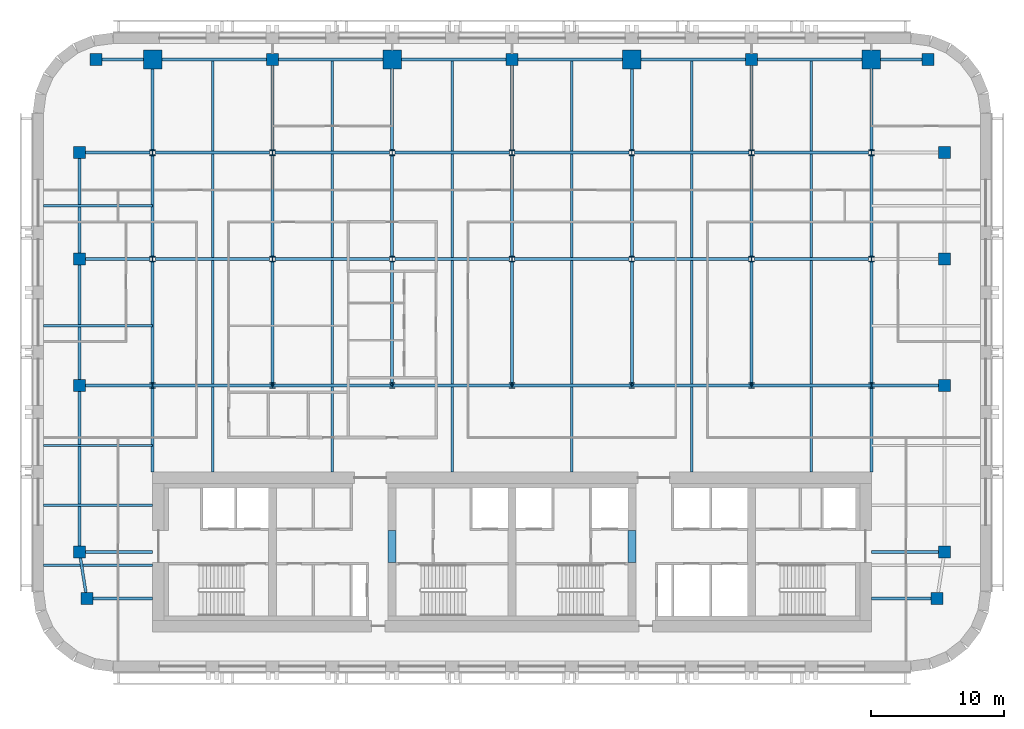
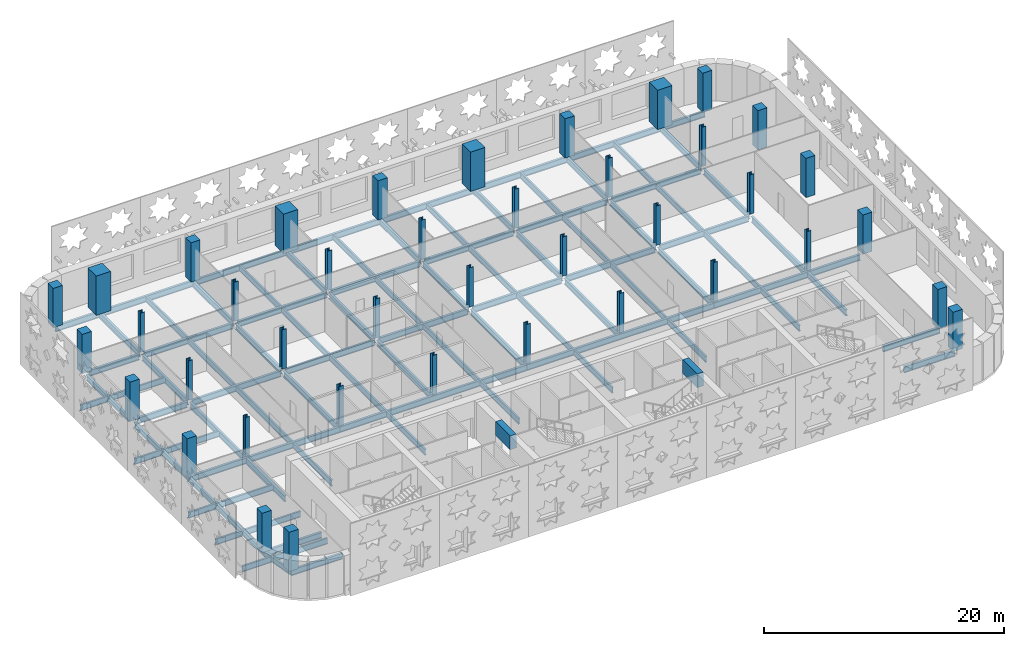
# One storey, part 1 of 13: 64 beams, 40 columns.
"""IFC4 building model written with IfcOpenShell, lengths in metres."""

from ifc_helpers import new_model, si_unit, direction, frame, origin, origin_2d, place, context, subcontext, project, spatial, rectangle, i_section, extrude, material, material_profile, profile_set, type_object, element, save


model = new_model("IFC4")

# Units and contexts
model_context = context("Model", 3, precision=1e-05, world=origin(), true_north=direction((0.0, 1.0)))
body_context = subcontext(model_context, "Body", "Model", "MODEL_VIEW")
ifc_project = project(units=[si_unit("LENGTHUNIT", "METRE"), si_unit("AREAUNIT", "SQUARE_METRE"), si_unit("VOLUMEUNIT", "CUBIC_METRE"), si_unit("PLANEANGLEUNIT", "RADIAN"), si_unit("MASSUNIT", "GRAM", prefix="KILO")], contexts=[model_context])

# Site, building, storey
site_placement = place(None, origin())
site = spatial("IfcSite", under=ifc_project, at=site_placement, CompositionType="ELEMENT")
building_placement = place(site_placement, origin())
building = spatial("IfcBuilding", under=site, at=building_placement, Name="Zellij Exchange Tower", CompositionType="ELEMENT")
storey_placement = place(building_placement, frame((0.0, 0.0, 172.5)))
storey = spatial("IfcBuildingStorey", under=building, at=storey_placement, Name="L39", CompositionType="ELEMENT", Elevation=172.5)

# Columns
ifc_material_1 = material(Name="Concrete C60/75", Category="concrete")
ifc_material_profile_1 = material_profile(ifc_material_1, rectangle(XDim=0.89990234375, YDim=0.89990234375, at=origin_2d()), Name="STR-COLUMN RC900x900 C60/75")
ifc_profile_set_1 = profile_set([ifc_material_profile_1], Name="Concrete C60/75")
column_type_1 = type_object("IfcColumnType", Name="STR-COLUMN RC900x900 C60/75", PredefinedType="COLUMN", material=ifc_profile_set_1)
for number, where, z_axis, x_axis, name in (
    (1, (-31.949951171875, -11.5, 0.0), (0.0, 0.0, 1.0), (1.0, 0.0, 0.0), "C16"),
    (2, (31.949951171875, -11.5, 0.0), (0.0, 0.0, 1.0), (1.0, 0.0, 0.0), "C16"),
    (3, (-32.5, -8.0, 0.0), (0.0, 0.0, 1.0), (1.0, 0.0, 0.0), "C16"),
    (4, (32.5, -8.0, 0.0), (0.0, 0.0, 1.0), (1.0, 0.0, 0.0), "C16"),
    (5, (-32.5, 4.5, 0.0), (0.0, 0.0, 1.0), (1.0, 0.0, 0.0), "C16"),
    (6, (32.5, 4.5, 0.0), (0.0, 0.0, 1.0), (1.0, 0.0, 0.0), "C16"),
    (7, (-32.5, 14.0, 0.0), (0.0, 0.0, 1.0), (1.0, 0.0, 0.0), "C16"),
    (8, (32.5, 14.0, 0.0), (0.0, 0.0, 1.0), (1.0, 0.0, 0.0), "C16"),
    (9, (-32.5, 22.0, 0.0), (0.0, 0.0, 1.0), (1.0, 0.0, 0.0), "C16"),
    (10, (32.5, 22.0, 0.0), (0.0, 0.0, 1.0), (1.0, 0.0, 0.0), "C16"),
    (11, (-31.25, 29.0, 0.0), (0.0, 0.0, 1.0), (1.0, 0.0, 0.0), "C16"),
    (12, (-18.0, 29.0, 0.0), (0.0, 0.0, 1.0), (1.0, 0.0, 0.0), "C16"),
    (13, (0.0, 29.0, 0.0), (0.0, 0.0, 1.0), (1.0, 0.0, 0.0), "C16"),
    (14, (18.0, 29.0, 0.0), (0.0, 0.0, 1.0), (1.0, 0.0, 0.0), "C16"),
    (15, (31.25, 29.0, 0.0), (0.0, 0.0, 1.0), (1.0, 0.0, 0.0), "C16"),
):
    element("IfcColumn", number, at=place(storey_placement, frame(where, z_axis=z_axis, x_axis=x_axis)), inside=storey, type_object=column_type_1, Name=name, PredefinedType="COLUMN", context=body_context, shape_type="SweptSolid", body=[
        extrude(rectangle(XDim=0.89990234375, YDim=0.89990234375, at=origin_2d()), origin(), (0.0, 0.0, 1.0), 4.0),
    ])
ifc_material_2 = material(Name="Structural steel ASTM A913 Gr 65", Category="steel")
ifc_material_profile_2 = material_profile(ifc_material_2, i_section(OverallWidth=0.408935546875, OverallDepth=0.424072265625, WebThickness=0.03271484375, FlangeThickness=0.052490234375, at=origin_2d()), Name="W14x283")
ifc_profile_set_2 = profile_set([ifc_material_profile_2], Name="Structural steel ASTM A913 Gr 65")
column_type_2 = type_object("IfcColumnType", Name="STR-COLUMN W14x283", PredefinedType="COLUMN", material=ifc_profile_set_2)
for number, where, z_axis, x_axis, name in (
    (16, (-27.0, 4.5, 0.0), (0.0, 0.0, 1.0), (1.0, 0.0, 0.0), "C3"),
    (17, (-18.0, 4.5, 0.0), (0.0, 0.0, 1.0), (1.0, 0.0, 0.0), "C3"),
    (18, (-9.0, 4.5, 0.0), (0.0, 0.0, 1.0), (1.0, 0.0, 0.0), "C3"),
    (19, (0.0, 4.5, 0.0), (0.0, 0.0, 1.0), (1.0, 0.0, 0.0), "C3"),
    (20, (9.0, 4.5, 0.0), (0.0, 0.0, 1.0), (1.0, 0.0, 0.0), "C3"),
    (21, (18.0, 4.5, 0.0), (0.0, 0.0, 1.0), (1.0, 0.0, 0.0), "C3"),
    (22, (27.0, 4.5, 0.0), (0.0, 0.0, 1.0), (1.0, 0.0, 0.0), "C3"),
    (23, (-27.0, 14.0, 0.0), (0.0, 0.0, 1.0), (1.0, 0.0, 0.0), "C3"),
    (24, (-18.0, 14.0, 0.0), (0.0, 0.0, 1.0), (1.0, 0.0, 0.0), "C3"),
    (25, (-9.0, 14.0, 0.0), (0.0, 0.0, 1.0), (1.0, 0.0, 0.0), "C3"),
    (26, (0.0, 14.0, 0.0), (0.0, 0.0, 1.0), (1.0, 0.0, 0.0), "C3"),
    (27, (9.0, 14.0, 0.0), (0.0, 0.0, 1.0), (1.0, 0.0, 0.0), "C3"),
    (28, (18.0, 14.0, 0.0), (0.0, 0.0, 1.0), (1.0, 0.0, 0.0), "C3"),
    (29, (27.0, 14.0, 0.0), (0.0, 0.0, 1.0), (1.0, 0.0, 0.0), "C3"),
    (30, (-27.0, 22.0, 0.0), (0.0, 0.0, 1.0), (1.0, 0.0, 0.0), "C3"),
    (31, (-18.0, 22.0, 0.0), (0.0, 0.0, 1.0), (1.0, 0.0, 0.0), "C3"),
    (32, (-9.0, 22.0, 0.0), (0.0, 0.0, 1.0), (1.0, 0.0, 0.0), "C3"),
    (33, (0.0, 22.0, 0.0), (0.0, 0.0, 1.0), (1.0, 0.0, 0.0), "C3"),
    (34, (9.0, 22.0, 0.0), (0.0, 0.0, 1.0), (1.0, 0.0, 0.0), "C3"),
    (35, (18.0, 22.0, 0.0), (0.0, 0.0, 1.0), (1.0, 0.0, 0.0), "C3"),
    (36, (27.0, 22.0, 0.0), (0.0, 0.0, 1.0), (1.0, 0.0, 0.0), "C3"),
):
    element("IfcColumn", number, at=place(storey_placement, frame(where, z_axis=z_axis, x_axis=x_axis)), inside=storey, type_object=column_type_2, Name=name, PredefinedType="COLUMN", context=body_context, shape_type="SweptSolid", body=[
        extrude(i_section(OverallWidth=0.408935546875, OverallDepth=0.424072265625, WebThickness=0.03271484375, FlangeThickness=0.052490234375, at=origin_2d()), origin(), (0.0, 0.0, 1.0), 4.0),
    ])
ifc_material_profile_3 = material_profile(ifc_material_1, rectangle(XDim=1.39990234375, YDim=1.39990234375, at=origin_2d()), Name="STR-MEGA COLUMN RC1400x1400 C60/75")
ifc_profile_set_3 = profile_set([ifc_material_profile_3], Name="Concrete C60/75")
column_type_3 = type_object("IfcColumnType", Name="STR-MEGA COLUMN RC1400x1400 C60/75", PredefinedType="COLUMN", material=ifc_profile_set_3)
for number, where, z_axis, x_axis, name in (
    (37, (-27.0, 29.0, 0.0), (0.0, 0.0, 1.0), (1.0, 0.0, 0.0), "MC3"),
    (38, (-9.0, 29.0, 0.0), (0.0, 0.0, 1.0), (1.0, 0.0, 0.0), "MC3"),
    (39, (9.0, 29.0, 0.0), (0.0, 0.0, 1.0), (1.0, 0.0, 0.0), "MC3"),
    (40, (27.0, 29.0, 0.0), (0.0, 0.0, 1.0), (1.0, 0.0, 0.0), "MC3"),
):
    element("IfcColumn", number, at=place(storey_placement, frame(where, z_axis=z_axis, x_axis=x_axis)), inside=storey, type_object=column_type_3, Name=name, PredefinedType="COLUMN", context=body_context, shape_type="SweptSolid", body=[
        extrude(rectangle(XDim=1.39990234375, YDim=1.39990234375, at=origin_2d()), origin(), (0.0, 0.0, 1.0), 4.0),
    ])

# Beams
ifc_material_profile_4 = material_profile(ifc_material_1, rectangle(XDim=0.60009765625, YDim=1.39990234375, at=origin_2d()), Name="CORE-CB 600x1400 C60/75")
ifc_profile_set_4 = profile_set([ifc_material_profile_4], Name="Concrete C60/75")
beam_type_1 = type_object("IfcBeamType", Name="CORE-CB 600x1400 C60/75", PredefinedType="BEAM", material=ifc_profile_set_4)
for number, where, z_axis, x_axis, name in (
    (41, (-9.0, -8.800048828125, 3.10009765625), (0.0, 1.0, 0.0), (-1.0, 0.0, 0.0), "Core coupling beam x -9 L39"),
    (42, (9.0, -8.800048828125, 3.10009765625), (0.0, 1.0, 0.0), (-1.0, 0.0, 0.0), "Core coupling beam x 9 L39"),
):
    element("IfcBeam", number, at=place(storey_placement, frame(where, z_axis=z_axis, x_axis=x_axis)), inside=storey, type_object=beam_type_1, Name=name, PredefinedType="BEAM", context=body_context, shape_type="SweptSolid", body=[
        extrude(rectangle(XDim=0.60009765625, YDim=1.39990234375, at=origin_2d()), origin(), (0.0, 0.0, 1.0), 2.425048828125),
    ])
ifc_material_3 = material(Name="Structural steel ASTM A992 Gr 50", Category="steel")
ifc_material_profile_5 = material_profile(ifc_material_3, i_section(OverallWidth=0.177978515625, OverallDepth=0.599365234375, WebThickness=0.010009765625, FlangeThickness=0.012939453125, at=origin_2d()), Name="W24x55")
ifc_profile_set_5 = profile_set([ifc_material_profile_5], Name="Structural steel ASTM A992 Gr 50")
beam_type_2 = type_object("IfcBeamType", Name="STR-BEAM W24x55", PredefinedType="BEAM", material=ifc_profile_set_5)
for number, where, z_axis, x_axis, name in (
    (43, (-22.5, -2.0, -0.499755859375), (0.0, 1.0, 0.0), (-1.0, 0.0, 0.0), "B4"),
    (44, (-13.5, -2.0, -0.499755859375), (0.0, 1.0, 0.0), (-1.0, 0.0, 0.0), "B4"),
    (45, (-4.5, -2.0, -0.499755859375), (0.0, 1.0, 0.0), (-1.0, 0.0, 0.0), "B4"),
    (46, (4.5, -2.0, -0.499755859375), (0.0, 1.0, 0.0), (-1.0, 0.0, 0.0), "B4"),
    (47, (13.5, -2.0, -0.499755859375), (0.0, 1.0, 0.0), (-1.0, 0.0, 0.0), "B4"),
    (48, (22.5, -2.0, -0.499755859375), (0.0, 1.0, 0.0), (-1.0, 0.0, 0.0), "B4"),
):
    element("IfcBeam", number, at=place(storey_placement, frame(where, z_axis=z_axis, x_axis=x_axis)), inside=storey, type_object=beam_type_2, Name=name, PredefinedType="BEAM", context=body_context, shape_type="SweptSolid", body=[
        extrude(i_section(OverallWidth=0.177978515625, OverallDepth=0.599365234375, WebThickness=0.010009765625, FlangeThickness=0.012939453125, at=origin_2d()), origin(), (0.0, 0.0, 1.0), 31.1142578125),
    ])
for number, where, z_axis, x_axis, name in (
    (49, (-35.199951171875, -9.0, -0.499755859375), (1.0, 0.0, 0.0), (0.0, 1.0, 0.0), "B4"),
    (50, (-35.199951171875, -4.5, -0.499755859375), (1.0, 0.0, 0.0), (0.0, 1.0, 0.0), "B4"),
    (51, (-35.199951171875, 0.0, -0.499755859375), (1.0, 0.0, 0.0), (0.0, 1.0, 0.0), "B4"),
    (52, (-35.199951171875, 9.0, -0.499755859375), (1.0, 0.0, 0.0), (0.0, 1.0, 0.0), "B4"),
    (53, (-35.199951171875, 18.0, -0.499755859375), (1.0, 0.0, 0.0), (0.0, 1.0, 0.0), "B4"),
):
    element("IfcBeam", number, at=place(storey_placement, frame(where, z_axis=z_axis, x_axis=x_axis)), inside=storey, type_object=beam_type_2, Name=name, PredefinedType="BEAM", context=body_context, shape_type="SweptSolid", body=[
        extrude(i_section(OverallWidth=0.177978515625, OverallDepth=0.599365234375, WebThickness=0.010009765625, FlangeThickness=0.012939453125, at=origin_2d()), origin(), (0.0, 0.0, 1.0), 8.199951171875),
    ])
ifc_material_profile_6 = material_profile(ifc_material_3, i_section(OverallWidth=0.209228515625, OverallDepth=0.533447265625, WebThickness=0.01025390625, FlangeThickness=0.015625, at=origin_2d()), Name="W21x62")
ifc_profile_set_6 = profile_set([ifc_material_profile_6], Name="Structural steel ASTM A992 Gr 50")
beam_type_3 = type_object("IfcBeamType", Name="STR-EDGE GIRDER W21x62", PredefinedType="BEAM", material=ifc_profile_set_6)
beam_1_placement = place(storey_placement, frame((-31.949951171875, -11.5, -0.466796875), z_axis=(-0.155251283593, 0.987875011802, 0.0), x_axis=(-0.987875011802, -0.155251283593, 0.0)))
element("IfcBeam", 54, at=beam_1_placement, inside=storey, type_object=beam_type_3, Name="EB3", PredefinedType="BEAM", context=body_context, shape_type="SweptSolid", body=[
    extrude(i_section(OverallWidth=0.209228515625, OverallDepth=0.533447265625, WebThickness=0.01025390625, FlangeThickness=0.015625, at=origin_2d()), origin(), (0.0, 0.0, 1.0), 3.54296875),
])
beam_2_placement = place(storey_placement, frame((-32.5, -8.0, -0.466796875), z_axis=(0.0, 1.0, 0.0), x_axis=(-1.0, 0.0, 0.0)))
element("IfcBeam", 55, at=beam_2_placement, inside=storey, type_object=beam_type_3, Name="EB3", PredefinedType="BEAM", context=body_context, shape_type="SweptSolid", body=[
    extrude(i_section(OverallWidth=0.209228515625, OverallDepth=0.533447265625, WebThickness=0.01025390625, FlangeThickness=0.015625, at=origin_2d()), origin(), (0.0, 0.0, 1.0), 12.5),
])
beam_3_placement = place(storey_placement, frame((-32.5, 4.5, -0.466796875), z_axis=(0.0, 1.0, 0.0), x_axis=(-1.0, 0.0, 0.0)))
element("IfcBeam", 56, at=beam_3_placement, inside=storey, type_object=beam_type_3, Name="EB3", PredefinedType="BEAM", context=body_context, shape_type="SweptSolid", body=[
    extrude(i_section(OverallWidth=0.209228515625, OverallDepth=0.533447265625, WebThickness=0.01025390625, FlangeThickness=0.015625, at=origin_2d()), origin(), (0.0, 0.0, 1.0), 9.050048828125),
])
beam_4_placement = place(storey_placement, frame((-32.5, 14.449951171875, -0.466796875), z_axis=(0.0, 1.0, 0.0), x_axis=(-1.0, 0.0, 0.0)))
element("IfcBeam", 57, at=beam_4_placement, inside=storey, type_object=beam_type_3, Name="EB3", PredefinedType="BEAM", context=body_context, shape_type="SweptSolid", body=[
    extrude(i_section(OverallWidth=0.209228515625, OverallDepth=0.533447265625, WebThickness=0.01025390625, FlangeThickness=0.015625, at=origin_2d()), origin(), (0.0, 0.0, 1.0), 7.10009765625),
])
ifc_material_profile_7 = material_profile(ifc_material_3, i_section(OverallWidth=0.228271484375, OverallDepth=0.607177734375, WebThickness=0.01123046875, FlangeThickness=0.017333984375, at=origin_2d()), Name="W24x76")
ifc_profile_set_7 = profile_set([ifc_material_profile_7], Name="Structural steel ASTM A992 Gr 50")
beam_type_4 = type_object("IfcBeamType", Name="STR-GIRDER W24x76", PredefinedType="BEAM", material=ifc_profile_set_7)
for number, where, z_axis, x_axis, name in (
    (58, (-31.949951171875, -11.5, -0.50341796875), (1.0, 0.0, 0.0), (0.0, 1.0, 0.0), "G2"),
    (59, (27.0, -11.5, -0.50341796875), (1.0, 0.0, 0.0), (0.0, 1.0, 0.0), "G2"),
):
    element("IfcBeam", number, at=place(storey_placement, frame(where, z_axis=z_axis, x_axis=x_axis)), inside=storey, type_object=beam_type_4, Name=name, PredefinedType="BEAM", context=body_context, shape_type="SweptSolid", body=[
        extrude(i_section(OverallWidth=0.228271484375, OverallDepth=0.607177734375, WebThickness=0.01123046875, FlangeThickness=0.017333984375, at=origin_2d()), origin(), (0.0, 0.0, 1.0), 4.949951171875),
    ])
for number, where, z_axis, x_axis, name in (
    (60, (-32.5, -8.0, -0.50341796875), (1.0, 0.0, 0.0), (0.0, 1.0, 0.0), "G2"),
    (61, (27.0, -8.0, -0.50341796875), (1.0, 0.0, 0.0), (0.0, 1.0, 0.0), "G2"),
):
    element("IfcBeam", number, at=place(storey_placement, frame(where, z_axis=z_axis, x_axis=x_axis)), inside=storey, type_object=beam_type_4, Name=name, PredefinedType="BEAM", context=body_context, shape_type="SweptSolid", body=[
        extrude(i_section(OverallWidth=0.228271484375, OverallDepth=0.607177734375, WebThickness=0.01123046875, FlangeThickness=0.017333984375, at=origin_2d()), origin(), (0.0, 0.0, 1.0), 5.5),
    ])
beam_5_placement = place(storey_placement, frame((-32.5, 4.5, -0.50341796875), z_axis=(1.0, 0.0, 0.0), x_axis=(0.0, 1.0, 0.0)))
element("IfcBeam", 62, at=beam_5_placement, inside=storey, type_object=beam_type_4, Name="G2", PredefinedType="BEAM", context=body_context, shape_type="SweptSolid", body=[
    extrude(i_section(OverallWidth=0.228271484375, OverallDepth=0.607177734375, WebThickness=0.01123046875, FlangeThickness=0.017333984375, at=origin_2d()), origin(), (0.0, 0.0, 1.0), 14.5),
])
for number, where, z_axis, x_axis, name in (
    (63, (-18.0, 4.5, -0.50341796875), (1.0, 0.0, 0.0), (0.0, 1.0, 0.0), "G2"),
    (64, (0.0, 4.5, -0.50341796875), (1.0, 0.0, 0.0), (0.0, 1.0, 0.0), "G2"),
):
    element("IfcBeam", number, at=place(storey_placement, frame(where, z_axis=z_axis, x_axis=x_axis)), inside=storey, type_object=beam_type_4, Name=name, PredefinedType="BEAM", context=body_context, shape_type="SweptSolid", body=[
        extrude(i_section(OverallWidth=0.228271484375, OverallDepth=0.607177734375, WebThickness=0.01123046875, FlangeThickness=0.017333984375, at=origin_2d()), origin(), (0.0, 0.0, 1.0), 18.0),
    ])
beam_6_placement = place(storey_placement, frame((18.0, 4.5, -0.50341796875), z_axis=(1.0, 0.0, 0.0), x_axis=(0.0, 1.0, 0.0)))
element("IfcBeam", 65, at=beam_6_placement, inside=storey, type_object=beam_type_4, Name="G2", PredefinedType="BEAM", context=body_context, shape_type="SweptSolid", body=[
    extrude(i_section(OverallWidth=0.228271484375, OverallDepth=0.607177734375, WebThickness=0.01123046875, FlangeThickness=0.017333984375, at=origin_2d()), origin(), (0.0, 0.0, 1.0), 14.050048828125),
])
beam_7_placement = place(storey_placement, frame((-32.050048828125, 14.0, -0.50341796875), z_axis=(1.0, 0.0, 0.0), x_axis=(0.0, 1.0, 0.0)))
element("IfcBeam", 66, at=beam_7_placement, inside=storey, type_object=beam_type_4, Name="G2", PredefinedType="BEAM", context=body_context, shape_type="SweptSolid", body=[
    extrude(i_section(OverallWidth=0.228271484375, OverallDepth=0.607177734375, WebThickness=0.01123046875, FlangeThickness=0.017333984375, at=origin_2d()), origin(), (0.0, 0.0, 1.0), 4.845458984375),
])
for number, where, z_axis, x_axis, name in (
    (67, (-26.79541015625, 14.0, -0.50341796875), (1.0, 0.0, 0.0), (0.0, 1.0, 0.0), "G2"),
    (68, (-17.79541015625, 14.0, -0.50341796875), (1.0, 0.0, 0.0), (0.0, 1.0, 0.0), "G2"),
    (69, (-8.79541015625, 14.0, -0.50341796875), (1.0, 0.0, 0.0), (0.0, 1.0, 0.0), "G2"),
    (70, (0.20458984375, 14.0, -0.50341796875), (1.0, 0.0, 0.0), (0.0, 1.0, 0.0), "G2"),
    (71, (9.20458984375, 14.0, -0.50341796875), (1.0, 0.0, 0.0), (0.0, 1.0, 0.0), "G2"),
    (72, (18.20458984375, 14.0, -0.50341796875), (1.0, 0.0, 0.0), (0.0, 1.0, 0.0), "G2"),
):
    element("IfcBeam", number, at=place(storey_placement, frame(where, z_axis=z_axis, x_axis=x_axis)), inside=storey, type_object=beam_type_4, Name=name, PredefinedType="BEAM", context=body_context, shape_type="SweptSolid", body=[
        extrude(i_section(OverallWidth=0.228271484375, OverallDepth=0.607177734375, WebThickness=0.01123046875, FlangeThickness=0.017333984375, at=origin_2d()), origin(), (0.0, 0.0, 1.0), 8.5908203125),
    ])
beam_8_placement = place(storey_placement, frame((-32.050048828125, 22.0, -0.50341796875), z_axis=(1.0, 0.0, 0.0), x_axis=(0.0, 1.0, 0.0)))
element("IfcBeam", 73, at=beam_8_placement, inside=storey, type_object=beam_type_4, Name="G2", PredefinedType="BEAM", context=body_context, shape_type="SweptSolid", body=[
    extrude(i_section(OverallWidth=0.228271484375, OverallDepth=0.607177734375, WebThickness=0.01123046875, FlangeThickness=0.017333984375, at=origin_2d()), origin(), (0.0, 0.0, 1.0), 4.845458984375),
])
for number, where, z_axis, x_axis, name in (
    (74, (-26.79541015625, 22.0, -0.50341796875), (1.0, 0.0, 0.0), (0.0, 1.0, 0.0), "G2"),
    (75, (-17.79541015625, 22.0, -0.50341796875), (1.0, 0.0, 0.0), (0.0, 1.0, 0.0), "G2"),
    (76, (-8.79541015625, 22.0, -0.50341796875), (1.0, 0.0, 0.0), (0.0, 1.0, 0.0), "G2"),
    (77, (0.20458984375, 22.0, -0.50341796875), (1.0, 0.0, 0.0), (0.0, 1.0, 0.0), "G2"),
    (78, (9.20458984375, 22.0, -0.50341796875), (1.0, 0.0, 0.0), (0.0, 1.0, 0.0), "G2"),
    (79, (18.20458984375, 22.0, -0.50341796875), (1.0, 0.0, 0.0), (0.0, 1.0, 0.0), "G2"),
):
    element("IfcBeam", number, at=place(storey_placement, frame(where, z_axis=z_axis, x_axis=x_axis)), inside=storey, type_object=beam_type_4, Name=name, PredefinedType="BEAM", context=body_context, shape_type="SweptSolid", body=[
        extrude(i_section(OverallWidth=0.228271484375, OverallDepth=0.607177734375, WebThickness=0.01123046875, FlangeThickness=0.017333984375, at=origin_2d()), origin(), (0.0, 0.0, 1.0), 8.5908203125),
    ])
beam_9_placement = place(storey_placement, frame((-31.25, 29.0, -0.50341796875), z_axis=(1.0, 0.0, 0.0), x_axis=(0.0, 1.0, 0.0)))
element("IfcBeam", 80, at=beam_9_placement, inside=storey, type_object=beam_type_4, Name="G2", PredefinedType="BEAM", context=body_context, shape_type="SweptSolid", body=[
    extrude(i_section(OverallWidth=0.228271484375, OverallDepth=0.607177734375, WebThickness=0.01123046875, FlangeThickness=0.017333984375, at=origin_2d()), origin(), (0.0, 0.0, 1.0), 13.25),
])
for number, where, z_axis, x_axis, name in (
    (81, (-18.0, 29.0, -0.50341796875), (1.0, 0.0, 0.0), (0.0, 1.0, 0.0), "G2"),
    (82, (0.0, 29.0, -0.50341796875), (1.0, 0.0, 0.0), (0.0, 1.0, 0.0), "G2"),
):
    element("IfcBeam", number, at=place(storey_placement, frame(where, z_axis=z_axis, x_axis=x_axis)), inside=storey, type_object=beam_type_4, Name=name, PredefinedType="BEAM", context=body_context, shape_type="SweptSolid", body=[
        extrude(i_section(OverallWidth=0.228271484375, OverallDepth=0.607177734375, WebThickness=0.01123046875, FlangeThickness=0.017333984375, at=origin_2d()), origin(), (0.0, 0.0, 1.0), 18.0),
    ])
beam_10_placement = place(storey_placement, frame((18.0, 29.0, -0.50341796875), z_axis=(1.0, 0.0, 0.0), x_axis=(0.0, 1.0, 0.0)))
element("IfcBeam", 83, at=beam_10_placement, inside=storey, type_object=beam_type_4, Name="G2", PredefinedType="BEAM", context=body_context, shape_type="SweptSolid", body=[
    extrude(i_section(OverallWidth=0.228271484375, OverallDepth=0.607177734375, WebThickness=0.01123046875, FlangeThickness=0.017333984375, at=origin_2d()), origin(), (0.0, 0.0, 1.0), 13.25),
])
beam_11_placement = place(storey_placement, frame((-27.0, -2.0, -0.50341796875), z_axis=(0.0, 1.0, 0.0), x_axis=(-1.0, 0.0, 0.0)))
element("IfcBeam", 84, at=beam_11_placement, inside=storey, type_object=beam_type_4, Name="G2", PredefinedType="BEAM", context=body_context, shape_type="SweptSolid", body=[
    extrude(i_section(OverallWidth=0.228271484375, OverallDepth=0.607177734375, WebThickness=0.01123046875, FlangeThickness=0.017333984375, at=origin_2d()), origin(), (0.0, 0.0, 1.0), 15.787841796875),
])
beam_12_placement = place(storey_placement, frame((-27.0, 14.212158203125, -0.50341796875), z_axis=(0.0, 1.0, 0.0), x_axis=(-1.0, 0.0, 0.0)))
element("IfcBeam", 85, at=beam_12_placement, inside=storey, type_object=beam_type_4, Name="G2", PredefinedType="BEAM", context=body_context, shape_type="SweptSolid", body=[
    extrude(i_section(OverallWidth=0.228271484375, OverallDepth=0.607177734375, WebThickness=0.01123046875, FlangeThickness=0.017333984375, at=origin_2d()), origin(), (0.0, 0.0, 1.0), 7.57568359375),
])
beam_13_placement = place(storey_placement, frame((-27.0, 22.212158203125, -0.50341796875), z_axis=(0.0, 1.0, 0.0), x_axis=(-1.0, 0.0, 0.0)))
element("IfcBeam", 86, at=beam_13_placement, inside=storey, type_object=beam_type_4, Name="G2", PredefinedType="BEAM", context=body_context, shape_type="SweptSolid", body=[
    extrude(i_section(OverallWidth=0.228271484375, OverallDepth=0.607177734375, WebThickness=0.01123046875, FlangeThickness=0.017333984375, at=origin_2d()), origin(), (0.0, 0.0, 1.0), 6.787841796875),
])
beam_14_placement = place(storey_placement, frame((-18.0, 4.5, -0.50341796875), z_axis=(0.0, 1.0, 0.0), x_axis=(-1.0, 0.0, 0.0)))
element("IfcBeam", 87, at=beam_14_placement, inside=storey, type_object=beam_type_4, Name="G2", PredefinedType="BEAM", context=body_context, shape_type="SweptSolid", body=[
    extrude(i_section(OverallWidth=0.228271484375, OverallDepth=0.607177734375, WebThickness=0.01123046875, FlangeThickness=0.017333984375, at=origin_2d()), origin(), (0.0, 0.0, 1.0), 9.287841796875),
])
beam_15_placement = place(storey_placement, frame((-18.0, 14.212158203125, -0.50341796875), z_axis=(0.0, 1.0, 0.0), x_axis=(-1.0, 0.0, 0.0)))
element("IfcBeam", 88, at=beam_15_placement, inside=storey, type_object=beam_type_4, Name="G2", PredefinedType="BEAM", context=body_context, shape_type="SweptSolid", body=[
    extrude(i_section(OverallWidth=0.228271484375, OverallDepth=0.607177734375, WebThickness=0.01123046875, FlangeThickness=0.017333984375, at=origin_2d()), origin(), (0.0, 0.0, 1.0), 7.57568359375),
])
beam_16_placement = place(storey_placement, frame((-18.0, 22.212158203125, -0.50341796875), z_axis=(0.0, 1.0, 0.0), x_axis=(-1.0, 0.0, 0.0)))
element("IfcBeam", 89, at=beam_16_placement, inside=storey, type_object=beam_type_4, Name="G2", PredefinedType="BEAM", context=body_context, shape_type="SweptSolid", body=[
    extrude(i_section(OverallWidth=0.228271484375, OverallDepth=0.607177734375, WebThickness=0.01123046875, FlangeThickness=0.017333984375, at=origin_2d()), origin(), (0.0, 0.0, 1.0), 6.787841796875),
])
beam_17_placement = place(storey_placement, frame((-9.0, 4.5, -0.50341796875), z_axis=(0.0, 1.0, 0.0), x_axis=(-1.0, 0.0, 0.0)))
element("IfcBeam", 90, at=beam_17_placement, inside=storey, type_object=beam_type_4, Name="G2", PredefinedType="BEAM", context=body_context, shape_type="SweptSolid", body=[
    extrude(i_section(OverallWidth=0.228271484375, OverallDepth=0.607177734375, WebThickness=0.01123046875, FlangeThickness=0.017333984375, at=origin_2d()), origin(), (0.0, 0.0, 1.0), 9.287841796875),
])
beam_18_placement = place(storey_placement, frame((-9.0, 14.212158203125, -0.50341796875), z_axis=(0.0, 1.0, 0.0), x_axis=(-1.0, 0.0, 0.0)))
element("IfcBeam", 91, at=beam_18_placement, inside=storey, type_object=beam_type_4, Name="G2", PredefinedType="BEAM", context=body_context, shape_type="SweptSolid", body=[
    extrude(i_section(OverallWidth=0.228271484375, OverallDepth=0.607177734375, WebThickness=0.01123046875, FlangeThickness=0.017333984375, at=origin_2d()), origin(), (0.0, 0.0, 1.0), 7.57568359375),
])
beam_19_placement = place(storey_placement, frame((-9.0, 22.212158203125, -0.50341796875), z_axis=(0.0, 1.0, 0.0), x_axis=(-1.0, 0.0, 0.0)))
element("IfcBeam", 92, at=beam_19_placement, inside=storey, type_object=beam_type_4, Name="G2", PredefinedType="BEAM", context=body_context, shape_type="SweptSolid", body=[
    extrude(i_section(OverallWidth=0.228271484375, OverallDepth=0.607177734375, WebThickness=0.01123046875, FlangeThickness=0.017333984375, at=origin_2d()), origin(), (0.0, 0.0, 1.0), 6.787841796875),
])
beam_20_placement = place(storey_placement, frame((0.0, 4.5, -0.50341796875), z_axis=(0.0, 1.0, 0.0), x_axis=(-1.0, 0.0, 0.0)))
element("IfcBeam", 93, at=beam_20_placement, inside=storey, type_object=beam_type_4, Name="G2", PredefinedType="BEAM", context=body_context, shape_type="SweptSolid", body=[
    extrude(i_section(OverallWidth=0.228271484375, OverallDepth=0.607177734375, WebThickness=0.01123046875, FlangeThickness=0.017333984375, at=origin_2d()), origin(), (0.0, 0.0, 1.0), 9.287841796875),
])
beam_21_placement = place(storey_placement, frame((0.0, 14.212158203125, -0.50341796875), z_axis=(0.0, 1.0, 0.0), x_axis=(-1.0, 0.0, 0.0)))
element("IfcBeam", 94, at=beam_21_placement, inside=storey, type_object=beam_type_4, Name="G2", PredefinedType="BEAM", context=body_context, shape_type="SweptSolid", body=[
    extrude(i_section(OverallWidth=0.228271484375, OverallDepth=0.607177734375, WebThickness=0.01123046875, FlangeThickness=0.017333984375, at=origin_2d()), origin(), (0.0, 0.0, 1.0), 7.57568359375),
])
beam_22_placement = place(storey_placement, frame((0.0, 22.212158203125, -0.50341796875), z_axis=(0.0, 1.0, 0.0), x_axis=(-1.0, 0.0, 0.0)))
element("IfcBeam", 95, at=beam_22_placement, inside=storey, type_object=beam_type_4, Name="G2", PredefinedType="BEAM", context=body_context, shape_type="SweptSolid", body=[
    extrude(i_section(OverallWidth=0.228271484375, OverallDepth=0.607177734375, WebThickness=0.01123046875, FlangeThickness=0.017333984375, at=origin_2d()), origin(), (0.0, 0.0, 1.0), 6.787841796875),
])
beam_23_placement = place(storey_placement, frame((9.0, 4.5, -0.50341796875), z_axis=(0.0, 1.0, 0.0), x_axis=(-1.0, 0.0, 0.0)))
element("IfcBeam", 96, at=beam_23_placement, inside=storey, type_object=beam_type_4, Name="G2", PredefinedType="BEAM", context=body_context, shape_type="SweptSolid", body=[
    extrude(i_section(OverallWidth=0.228271484375, OverallDepth=0.607177734375, WebThickness=0.01123046875, FlangeThickness=0.017333984375, at=origin_2d()), origin(), (0.0, 0.0, 1.0), 9.287841796875),
])
beam_24_placement = place(storey_placement, frame((9.0, 14.212158203125, -0.50341796875), z_axis=(0.0, 1.0, 0.0), x_axis=(-1.0, 0.0, 0.0)))
element("IfcBeam", 97, at=beam_24_placement, inside=storey, type_object=beam_type_4, Name="G2", PredefinedType="BEAM", context=body_context, shape_type="SweptSolid", body=[
    extrude(i_section(OverallWidth=0.228271484375, OverallDepth=0.607177734375, WebThickness=0.01123046875, FlangeThickness=0.017333984375, at=origin_2d()), origin(), (0.0, 0.0, 1.0), 7.57568359375),
])
beam_25_placement = place(storey_placement, frame((9.0, 22.212158203125, -0.50341796875), z_axis=(0.0, 1.0, 0.0), x_axis=(-1.0, 0.0, 0.0)))
element("IfcBeam", 98, at=beam_25_placement, inside=storey, type_object=beam_type_4, Name="G2", PredefinedType="BEAM", context=body_context, shape_type="SweptSolid", body=[
    extrude(i_section(OverallWidth=0.228271484375, OverallDepth=0.607177734375, WebThickness=0.01123046875, FlangeThickness=0.017333984375, at=origin_2d()), origin(), (0.0, 0.0, 1.0), 6.787841796875),
])
beam_26_placement = place(storey_placement, frame((18.0, 4.5, -0.50341796875), z_axis=(0.0, 1.0, 0.0), x_axis=(-1.0, 0.0, 0.0)))
element("IfcBeam", 99, at=beam_26_placement, inside=storey, type_object=beam_type_4, Name="G2", PredefinedType="BEAM", context=body_context, shape_type="SweptSolid", body=[
    extrude(i_section(OverallWidth=0.228271484375, OverallDepth=0.607177734375, WebThickness=0.01123046875, FlangeThickness=0.017333984375, at=origin_2d()), origin(), (0.0, 0.0, 1.0), 9.287841796875),
])
beam_27_placement = place(storey_placement, frame((18.0, 14.212158203125, -0.50341796875), z_axis=(0.0, 1.0, 0.0), x_axis=(-1.0, 0.0, 0.0)))
element("IfcBeam", 100, at=beam_27_placement, inside=storey, type_object=beam_type_4, Name="G2", PredefinedType="BEAM", context=body_context, shape_type="SweptSolid", body=[
    extrude(i_section(OverallWidth=0.228271484375, OverallDepth=0.607177734375, WebThickness=0.01123046875, FlangeThickness=0.017333984375, at=origin_2d()), origin(), (0.0, 0.0, 1.0), 7.57568359375),
])
beam_28_placement = place(storey_placement, frame((18.0, 22.212158203125, -0.50341796875), z_axis=(0.0, 1.0, 0.0), x_axis=(-1.0, 0.0, 0.0)))
element("IfcBeam", 101, at=beam_28_placement, inside=storey, type_object=beam_type_4, Name="G2", PredefinedType="BEAM", context=body_context, shape_type="SweptSolid", body=[
    extrude(i_section(OverallWidth=0.228271484375, OverallDepth=0.607177734375, WebThickness=0.01123046875, FlangeThickness=0.017333984375, at=origin_2d()), origin(), (0.0, 0.0, 1.0), 6.787841796875),
])
beam_29_placement = place(storey_placement, frame((27.0, -2.0, -0.50341796875), z_axis=(0.0, 1.0, 0.0), x_axis=(-1.0, 0.0, 0.0)))
element("IfcBeam", 102, at=beam_29_placement, inside=storey, type_object=beam_type_4, Name="G2", PredefinedType="BEAM", context=body_context, shape_type="SweptSolid", body=[
    extrude(i_section(OverallWidth=0.228271484375, OverallDepth=0.607177734375, WebThickness=0.01123046875, FlangeThickness=0.017333984375, at=origin_2d()), origin(), (0.0, 0.0, 1.0), 15.787841796875),
])
beam_30_placement = place(storey_placement, frame((27.0, 14.212158203125, -0.50341796875), z_axis=(0.0, 1.0, 0.0), x_axis=(-1.0, 0.0, 0.0)))
element("IfcBeam", 103, at=beam_30_placement, inside=storey, type_object=beam_type_4, Name="G2", PredefinedType="BEAM", context=body_context, shape_type="SweptSolid", body=[
    extrude(i_section(OverallWidth=0.228271484375, OverallDepth=0.607177734375, WebThickness=0.01123046875, FlangeThickness=0.017333984375, at=origin_2d()), origin(), (0.0, 0.0, 1.0), 7.57568359375),
])
beam_31_placement = place(storey_placement, frame((27.0, 22.212158203125, -0.50341796875), z_axis=(0.0, 1.0, 0.0), x_axis=(-1.0, 0.0, 0.0)))
element("IfcBeam", 104, at=beam_31_placement, inside=storey, type_object=beam_type_4, Name="G2", PredefinedType="BEAM", context=body_context, shape_type="SweptSolid", body=[
    extrude(i_section(OverallWidth=0.228271484375, OverallDepth=0.607177734375, WebThickness=0.01123046875, FlangeThickness=0.017333984375, at=origin_2d()), origin(), (0.0, 0.0, 1.0), 6.787841796875),
])

save(model, "model.ifc")
